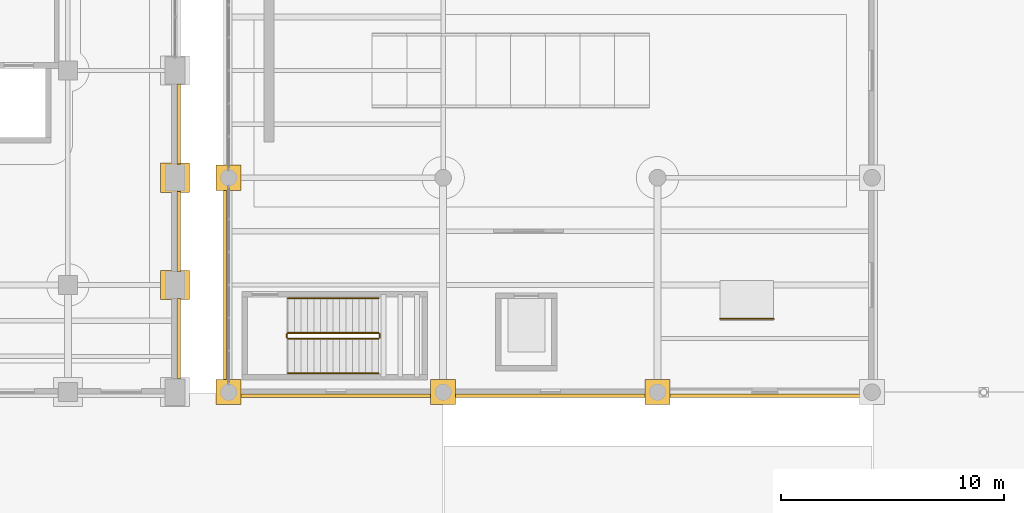
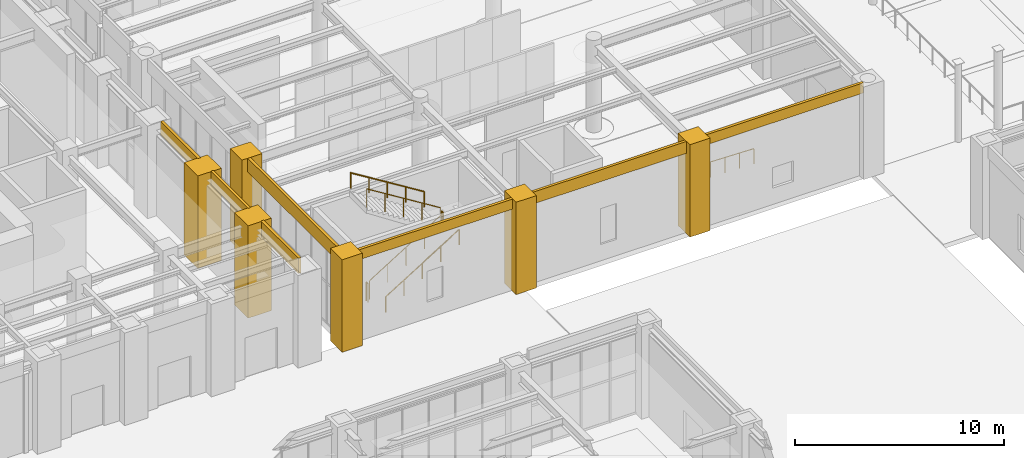
# One storey, part 145 of 164: 13 coverings, 7 railings.
"""IFC4 building model written with IfcOpenShell, lengths in metres."""

from ifc_helpers import new_model, si_unit, direction, frame, origin, origin_2d, place, context, subcontext, project, spatial, polyline, circle, outline, extrude, material, layer, layer_set, type_object, element, save


model = new_model("IFC4")

# Units and contexts
model_context = context("Model", 3, precision=1e-05, world=origin(), true_north=direction((0.0, 1.0)))
body_context = subcontext(model_context, "Body", "Model", "MODEL_VIEW")
ifc_project = project(units=[si_unit("LENGTHUNIT", "METRE"), si_unit("AREAUNIT", "SQUARE_METRE"), si_unit("VOLUMEUNIT", "CUBIC_METRE"), si_unit("PLANEANGLEUNIT", "RADIAN"), si_unit("MASSUNIT", "GRAM", prefix="KILO")], contexts=[model_context])

# Site, building, storey
site_placement = place(None, origin())
site = spatial("IfcSite", under=ifc_project, at=site_placement, CompositionType="ELEMENT")
building_placement = place(site_placement, origin())
building = spatial("IfcBuilding", under=site, at=building_placement, Name="Mavantir Sound Aquarium", CompositionType="ELEMENT")
storey_placement = place(building_placement, origin())
storey = spatial("IfcBuildingStorey", under=building, at=storey_placement, Name="L00", CompositionType="ELEMENT", Elevation=0.0)

# Coverings
ifc_material_1 = material(Name="Honed Coral-Limestone & Glazed Terracotta Rainscreen Cladding", Category="masonry")
ifc_layer = layer(ifc_material_1, 0.06005859375, Name="Honed Coral-Limestone & Glazed Terracotta Rainscreen Cladding")
ifc_layer_set = layer_set([ifc_layer], Name="Honed Coral-Limestone & Glazed Terracotta Rainscreen Cladding")
covering_type = type_object("IfcCoveringType", Name="COV-CLAD-TC", PredefinedType="CLADDING", material=ifc_layer_set)
covering_1_placement = place(storey_placement, frame((0.0, 0.0, 4.4990234375)))
element("IfcCovering", 1, at=covering_1_placement, inside=storey, type_object=covering_type, Name="L00 Postmodern coral-limestone spandrel frieze 1", PredefinedType="CLADDING", context=body_context, shape_type="SweptSolid", body=[
    extrude(outline(polyline([(33.68994140625, 41.407958984375), (33.68994140625, 44.991943359375), (33.840087890625, 44.991943359375), (33.840087890625, 41.407958984375), (33.68994140625, 41.407958984375)])), origin(), (0.0, 0.0, 1.0), 0.90087890625),
])
covering_2_placement = place(storey_placement, frame((0.0, 0.0, 4.60791015625)))
element("IfcCovering", 2, at=covering_2_placement, inside=storey, type_object=covering_type, Name="L00 Postmodern coral-limestone spandrel frieze 2", PredefinedType="CLADDING", context=body_context, shape_type="SweptSolid", body=[
    extrude(outline(polyline([(33.68994140625, 46.2080078125), (33.68994140625, 49.7919921875), (33.840087890625, 49.7919921875), (33.840087890625, 46.2080078125), (33.68994140625, 46.2080078125)])), origin(), (0.0, 0.0, 1.0), 0.7919921875),
])
covering_3_placement = place(storey_placement, frame((0.0, 0.0, 4.60791015625)))
element("IfcCovering", 3, at=covering_3_placement, inside=storey, type_object=covering_type, Name="L00 Postmodern coral-limestone spandrel frieze 3", PredefinedType="CLADDING", context=body_context, shape_type="SweptSolid", body=[
    extrude(outline(polyline([(33.68994140625, 51.008056640625), (33.68994140625, 54.592041015625), (33.840087890625, 54.592041015625), (33.840087890625, 51.008056640625), (33.68994140625, 51.008056640625)])), origin(), (0.0, 0.0, 1.0), 0.7919921875),
])
covering_4_placement = place(storey_placement, frame((0.0, 0.0, 4.59912109375)))
element("IfcCovering", 4, at=covering_4_placement, inside=storey, type_object=covering_type, Name="L00 Postmodern coral-limestone spandrel frieze 40", PredefinedType="CLADDING", context=body_context, shape_type="SweptSolid", body=[
    extrude(outline(polyline([(35.909912109375, 50.01708984375), (35.909912109375, 41.18310546875), (35.760009765625, 41.18310546875), (35.760009765625, 50.01708984375), (35.909912109375, 50.01708984375)])), origin(), (0.0, 0.0, 1.0), 0.80078125),
])
covering_5_placement = place(storey_placement, frame((0.0, 0.0, 4.81298828125)))
element("IfcCovering", 5, at=covering_5_placement, inside=storey, type_object=covering_type, Name="L00 Postmodern coral-limestone spandrel frieze 41", PredefinedType="CLADDING", context=body_context, shape_type="SweptSolid", body=[
    extrude(outline(polyline([(36.383056640625, 40.7099609375), (45.217041015625, 40.7099609375), (45.217041015625, 40.56005859375), (36.383056640625, 40.56005859375), (36.383056640625, 40.7099609375)])), origin(), (0.0, 0.0, 1.0), 0.5869140625),
])
covering_6_placement = place(storey_placement, frame((0.0, 0.0, 4.7080078125)))
element("IfcCovering", 6, at=covering_6_placement, inside=storey, type_object=covering_type, Name="L00 Postmodern coral-limestone spandrel frieze 42", PredefinedType="CLADDING", context=body_context, shape_type="SweptSolid", body=[
    extrude(outline(polyline([(45.98291015625, 40.7099609375), (54.81689453125, 40.7099609375), (54.81689453125, 40.56005859375), (45.98291015625, 40.56005859375), (45.98291015625, 40.7099609375)])), origin(), (0.0, 0.0, 1.0), 0.69189453125),
])
covering_7_placement = place(storey_placement, frame((0.0, 0.0, 4.81298828125)))
element("IfcCovering", 7, at=covering_7_placement, inside=storey, type_object=covering_type, Name="L00 Postmodern coral-limestone spandrel frieze 43", PredefinedType="CLADDING", context=body_context, shape_type="SweptSolid", body=[
    extrude(outline(polyline([(55.5830078125, 40.7099609375), (64.4169921875, 40.7099609375), (64.4169921875, 40.56005859375), (55.5830078125, 40.56005859375), (55.5830078125, 40.7099609375)])), origin(), (0.0, 0.0, 1.0), 0.5869140625),
])
covering_8_placement = place(storey_placement, origin())
element("IfcCovering", 8, at=covering_8_placement, inside=storey, type_object=covering_type, Name="L00 Postmodern coral-limestone pilaster casing 89", PredefinedType="CLADDING", context=body_context, shape_type="SweptSolid", body=[
    extrude(outline(polyline([(32.949951171875, 44.949951171875), (34.25, 44.949951171875), (34.25, 46.25), (32.949951171875, 46.25), (32.949951171875, 44.949951171875)])), origin(), (0.0, 0.0, 1.0), 5.39990234375),
])
covering_9_placement = place(storey_placement, origin())
element("IfcCovering", 9, at=covering_9_placement, inside=storey, type_object=covering_type, Name="L00 Postmodern coral-limestone pilaster casing 93", PredefinedType="CLADDING", context=body_context, shape_type="SweptSolid", body=[
    extrude(outline(polyline([(32.949951171875, 49.75), (34.25, 49.75), (34.25, 51.050048828125), (32.949951171875, 51.050048828125), (32.949951171875, 49.75)])), origin(), (0.0, 0.0, 1.0), 5.39990234375),
])
covering_10_placement = place(storey_placement, origin())
element("IfcCovering", 10, at=covering_10_placement, inside=storey, type_object=covering_type, Name="L00 Postmodern coral-limestone pilaster casing 121", PredefinedType="CLADDING", context=body_context, shape_type="SweptSolid", body=[
    extrude(outline(polyline([(35.43994140625, 40.239990234375), (36.56005859375, 40.239990234375), (36.56005859375, 41.360107421875), (35.43994140625, 41.360107421875), (35.43994140625, 40.239990234375)])), origin(), (0.0, 0.0, 1.0), 5.39990234375),
])
covering_11_placement = place(storey_placement, origin())
element("IfcCovering", 11, at=covering_11_placement, inside=storey, type_object=covering_type, Name="L00 Postmodern coral-limestone pilaster casing 125", PredefinedType="CLADDING", context=body_context, shape_type="SweptSolid", body=[
    extrude(outline(polyline([(35.43994140625, 49.840087890625), (36.56005859375, 49.840087890625), (36.56005859375, 50.9599609375), (35.43994140625, 50.9599609375), (35.43994140625, 49.840087890625)])), origin(), (0.0, 0.0, 1.0), 5.39990234375),
])
covering_12_placement = place(storey_placement, origin())
element("IfcCovering", 12, at=covering_12_placement, inside=storey, type_object=covering_type, Name="L00 Postmodern coral-limestone pilaster casing 134", PredefinedType="CLADDING", context=body_context, shape_type="SweptSolid", body=[
    extrude(outline(polyline([(45.0400390625, 40.239990234375), (46.159912109375, 40.239990234375), (46.159912109375, 41.360107421875), (45.0400390625, 41.360107421875), (45.0400390625, 40.239990234375)])), origin(), (0.0, 0.0, 1.0), 5.39990234375),
])
covering_13_placement = place(storey_placement, origin())
element("IfcCovering", 13, at=covering_13_placement, inside=storey, type_object=covering_type, Name="L00 Postmodern coral-limestone pilaster casing 142", PredefinedType="CLADDING", context=body_context, shape_type="SweptSolid", body=[
    extrude(outline(polyline([(54.639892578125, 40.239990234375), (55.760009765625, 40.239990234375), (55.760009765625, 41.360107421875), (54.639892578125, 41.360107421875), (54.639892578125, 40.239990234375)])), origin(), (0.0, 0.0, 1.0), 5.39990234375),
])

# Railings
ifc_material_2 = material(Name="Stainless Steel 316 and Laminated Glass Guardrail", Category="steel")
railing_type_1 = type_object("IfcRailingType", Name="RL-GUARD-110", PredefinedType="GUARDRAIL", material=ifc_material_2)
railing_1_placement = place(storey_placement, frame((38.64990234375, 43.199951171875, 0.179931640625)))
element("IfcRailing", 14, at=railing_1_placement, inside=storey, type_object=railing_type_1, Name="L00 ST8 stair guard 1", PredefinedType="GUARDRAIL", context=body_context, shape_type="SweptSolid", body=[
    extrude(circle(Radius=0.02392578125, at=origin_2d()), frame((0.0, 0.0, 1.076171875), z_axis=(0.849641744969, 0.0, 0.527360318194), x_axis=(0.0, 1.0, 0.0)), (0.0, 0.0, 1.0), 4.778564453125),
    extrude(circle(Radius=0.02099609375, at=origin_2d()), origin(), (0.0, 0.0, 1.0), 1.052001953125),
    extrude(circle(Radius=0.02099609375, at=origin_2d()), frame((1.01513671875, 0.0, 0.6298828125)), (0.0, 0.0, 1.0), 1.052001953125),
    extrude(circle(Radius=0.02099609375, at=origin_2d()), frame((2.030029296875, 0.0, 1.260009765625)), (0.0, 0.0, 1.0), 1.052001953125),
    extrude(circle(Radius=0.02099609375, at=origin_2d()), frame((3.044921875, 0.0, 1.89013671875)), (0.0, 0.0, 1.0), 1.052001953125),
    extrude(circle(Radius=0.02099609375, at=origin_2d()), frame((4.06005859375, 0.0, 2.52001953125)), (0.0, 0.0, 1.0), 1.052001953125),
])
railing_2_placement = place(storey_placement, frame((42.760009765625, 43.25, 2.699951171875)))
element("IfcRailing", 15, at=railing_2_placement, inside=storey, type_object=railing_type_1, Name="L00 ST8 stair guard 2", PredefinedType="GUARDRAIL", context=body_context, shape_type="SweptSolid", body=[
    extrude(circle(Radius=0.02392578125, at=origin_2d()), frame((0.0, 0.0, 1.076171875), z_axis=(0.0, 1.0, 0.0), x_axis=(-1.0, 0.0, 0.0)), (0.0, 0.0, 1.0), 0.14990234375),
    extrude(circle(Radius=0.02099609375, at=origin_2d()), origin(), (0.0, 0.0, 1.0), 1.052001953125),
    extrude(circle(Radius=0.02099609375, at=origin_2d()), frame((0.0, 0.14990234375, 0.0)), (0.0, 0.0, 1.0), 1.052001953125),
])
railing_3_placement = place(storey_placement, frame((42.7099609375, 43.449951171875, 2.8798828125)))
element("IfcRailing", 16, at=railing_3_placement, inside=storey, type_object=railing_type_1, Name="L00 ST8 stair guard 3", PredefinedType="GUARDRAIL", context=body_context, shape_type="SweptSolid", body=[
    extrude(circle(Radius=0.02392578125, at=origin_2d()), frame((0.0, 0.0, 1.076171875), z_axis=(-0.849641744969, 0.0, 0.527360318194), x_axis=(0.0, -1.0, 0.0)), (0.0, 0.0, 1.0), 4.778564453125),
    extrude(circle(Radius=0.02099609375, at=origin_2d()), origin(), (0.0, 0.0, 1.0), 1.052001953125),
    extrude(circle(Radius=0.02099609375, at=origin_2d()), frame((-1.01513671875, 0.0, 0.6298828125)), (0.0, 0.0, 1.0), 1.052001953125),
    extrude(circle(Radius=0.02099609375, at=origin_2d()), frame((-2.030029296875, 0.0, 1.260009765625)), (0.0, 0.0, 1.0), 1.052001953125),
    extrude(circle(Radius=0.02099609375, at=origin_2d()), frame((-3.044921875, 0.0, 1.89013671875)), (0.0, 0.0, 1.0), 1.052001953125),
    extrude(circle(Radius=0.02099609375, at=origin_2d()), frame((-4.06005859375, 0.0, 2.52001953125)), (0.0, 0.0, 1.0), 1.052001953125),
])
railing_4_placement = place(storey_placement, frame((38.60009765625, 43.25, 0.0)))
element("IfcRailing", 17, at=railing_4_placement, inside=storey, type_object=railing_type_1, Name="L00 ST8 stair guard 4", PredefinedType="GUARDRAIL", context=body_context, shape_type="SweptSolid", body=[
    extrude(circle(Radius=0.02392578125, at=origin_2d()), frame((0.0, 0.0, 1.076171875), z_axis=(0.0, 1.0, 0.0), x_axis=(-1.0, 0.0, 0.0)), (0.0, 0.0, 1.0), 0.14990234375),
    extrude(circle(Radius=0.02099609375, at=origin_2d()), origin(), (0.0, 0.0, 1.0), 1.052001953125),
    extrude(circle(Radius=0.02099609375, at=origin_2d()), frame((0.0, 0.14990234375, 0.0)), (0.0, 0.0, 1.0), 1.052001953125),
])
ifc_material_3 = material(Name="Brushed Stainless Steel 316 Handrail", Category="steel")
railing_type_2 = type_object("IfcRailingType", Name="RL-HR-90", PredefinedType="HANDRAIL", material=ifc_material_3)
railing_5_placement = place(storey_placement, frame((38.64990234375, 41.64990234375, 0.364990234375)))
element("IfcRailing", 18, at=railing_5_placement, inside=storey, type_object=railing_type_2, Name="L00 ST8 stair handrail 1", PredefinedType="HANDRAIL", context=body_context, shape_type="SweptSolid", body=[
    extrude(circle(Radius=0.02392578125, at=origin_2d()), frame((0.0, 0.0, 0.89111328125), z_axis=(0.849641744969, 0.0, 0.527360318194), x_axis=(0.0, 1.0, 0.0)), (0.0, 0.0, 1.0), 4.778564453125),
    extrude(circle(Radius=0.02099609375, at=origin_2d()), origin(), (0.0, 0.0, 1.0), 0.866943359375),
    extrude(circle(Radius=0.02099609375, at=origin_2d()), frame((1.01513671875, 0.0, 0.6298828125)), (0.0, 0.0, 1.0), 0.866943359375),
    extrude(circle(Radius=0.02099609375, at=origin_2d()), frame((2.030029296875, 0.0, 1.260009765625)), (0.0, 0.0, 1.0), 0.866943359375),
    extrude(circle(Radius=0.02099609375, at=origin_2d()), frame((3.044921875, 0.0, 1.89013671875)), (0.0, 0.0, 1.0), 0.866943359375),
    extrude(circle(Radius=0.02099609375, at=origin_2d()), frame((4.06005859375, 0.0, 2.52001953125)), (0.0, 0.0, 1.0), 0.866943359375),
])
railing_6_placement = place(storey_placement, frame((42.7099609375, 45.0, 3.06494140625)))
element("IfcRailing", 19, at=railing_6_placement, inside=storey, type_object=railing_type_2, Name="L00 ST8 stair handrail 2", PredefinedType="HANDRAIL", context=body_context, shape_type="SweptSolid", body=[
    extrude(circle(Radius=0.02392578125, at=origin_2d()), frame((0.0, 0.0, 0.89111328125), z_axis=(-0.849641744969, 0.0, 0.527360318194), x_axis=(0.0, -1.0, 0.0)), (0.0, 0.0, 1.0), 4.778564453125),
    extrude(circle(Radius=0.02099609375, at=origin_2d()), origin(), (0.0, 0.0, 1.0), 0.866943359375),
    extrude(circle(Radius=0.02099609375, at=origin_2d()), frame((-1.01513671875, 0.0, 0.6298828125)), (0.0, 0.0, 1.0), 0.866943359375),
    extrude(circle(Radius=0.02099609375, at=origin_2d()), frame((-2.030029296875, 0.0, 1.260009765625)), (0.0, 0.0, 1.0), 0.866943359375),
    extrude(circle(Radius=0.02099609375, at=origin_2d()), frame((-3.044921875, 0.0, 1.89013671875)), (0.0, 0.0, 1.0), 0.866943359375),
    extrude(circle(Radius=0.02099609375, at=origin_2d()), frame((-4.06005859375, 0.0, 2.52001953125)), (0.0, 0.0, 1.0), 0.866943359375),
])
railing_7_placement = place(storey_placement, frame((58.0, 44.080078125, 0.0)))
element("IfcRailing", 20, at=railing_7_placement, inside=storey, type_object=railing_type_2, Name="L00 accessible ramp handrail 2", PredefinedType="HANDRAIL", context=body_context, shape_type="SweptSolid", body=[
    extrude(circle(Radius=0.02392578125, at=origin_2d()), frame((0.0, 0.0, 0.89111328125), z_axis=(0.999687010872, 0.0, -0.025017599662), x_axis=(0.0, 1.0, 0.0)), (0.0, 0.0, 1.0), 2.400634765625),
    extrude(circle(Radius=0.02099609375, at=origin_2d()), origin(), (0.0, 0.0, 1.0), 0.866943359375),
    extrude(circle(Radius=0.02099609375, at=origin_2d()), frame((0.800048828125, 0.0, -0.02001953125)), (0.0, 0.0, 1.0), 0.866943359375),
    extrude(circle(Radius=0.02099609375, at=origin_2d()), frame((1.599853515625, 0.0, -0.0400390625)), (0.0, 0.0, 1.0), 0.866943359375),
    extrude(circle(Radius=0.02099609375, at=origin_2d()), frame((2.39990234375, 0.0, -0.06005859375)), (0.0, 0.0, 1.0), 0.866943359375),
])

save(model, "model.ifc")
